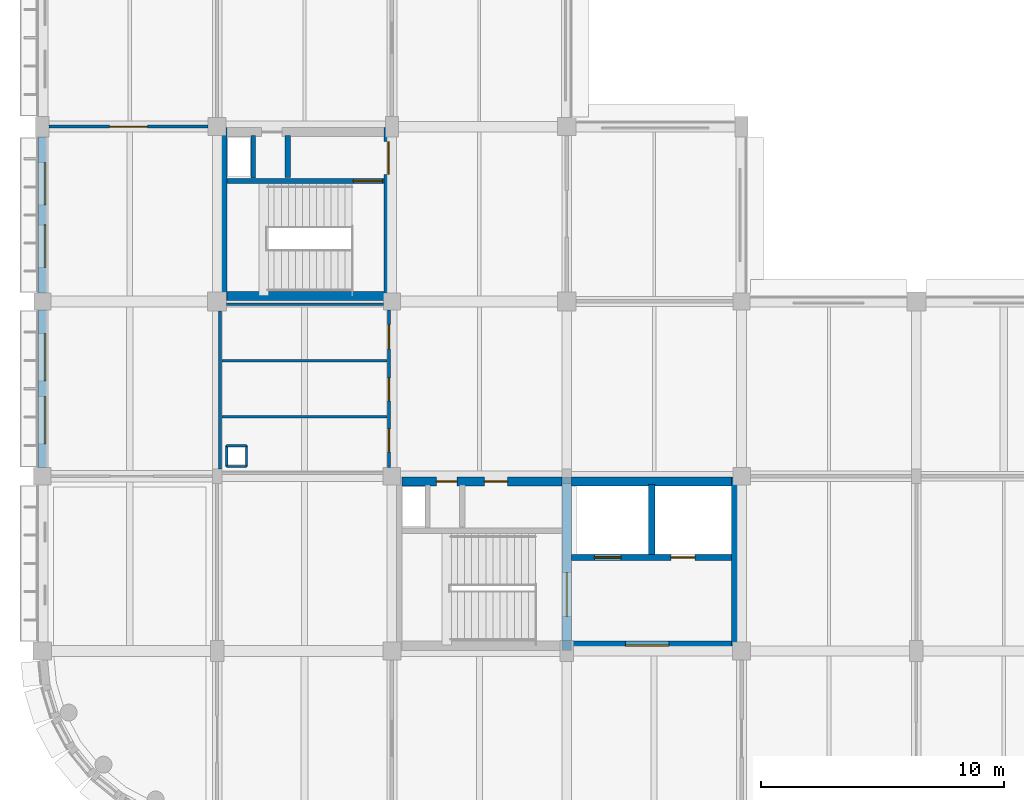
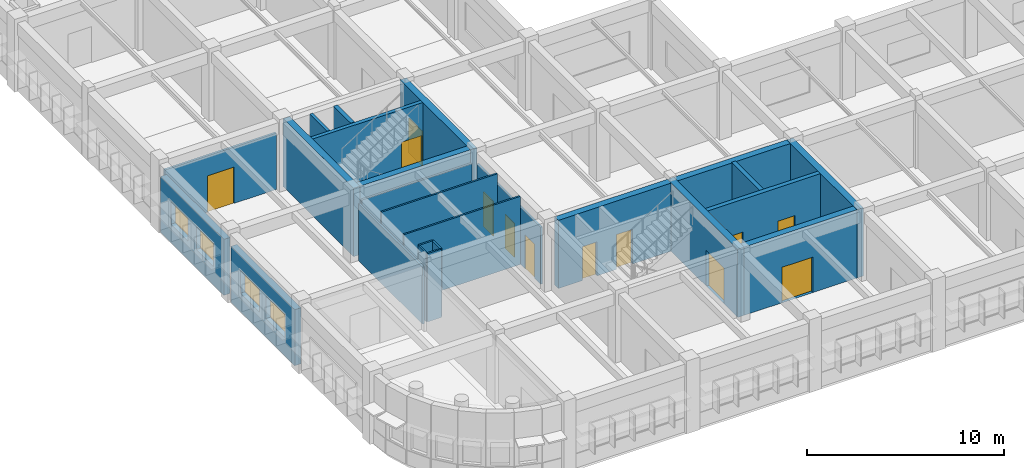
# One storey, part 35 of 61: 25 walls, 12 doors, 4 windows, 16 openings.
"""IFC4 building model written with IfcOpenShell, lengths in metres."""

from ifc_helpers import new_model, si_unit, direction, frame, frame_2d, origin, place, context, subcontext, project, spatial, rectangle, extrude, material, layer, layer_set, type_object, element, fill, save


model = new_model("IFC4")

# Units and contexts
model_context = context("Model", 3, precision=1e-05, world=origin(), true_north=direction((0.0, 1.0)))
body_context = subcontext(model_context, "Body", "Model", "MODEL_VIEW")
ifc_project = project(units=[si_unit("LENGTHUNIT", "METRE"), si_unit("AREAUNIT", "SQUARE_METRE"), si_unit("VOLUMEUNIT", "CUBIC_METRE"), si_unit("PLANEANGLEUNIT", "RADIAN"), si_unit("MASSUNIT", "GRAM", prefix="KILO")], contexts=[model_context])

# Site, building, storey
site_placement = place(None, origin())
site = spatial("IfcSite", under=ifc_project, at=site_placement, CompositionType="ELEMENT")
building_placement = place(site_placement, origin())
building = spatial("IfcBuilding", under=site, at=building_placement, Name="Thalmaran Polytechnic", CompositionType="ELEMENT")
storey_placement = place(building_placement, frame((0.0, 0.0, 9.89990234375)))
storey = spatial("IfcBuildingStorey", under=building, at=storey_placement, Name="L02", CompositionType="ELEMENT", Elevation=9.89990234375)

# Wall, openings, windows
ifc_material_1 = material(Name="Precast concrete C40/50", Category="concrete")
ifc_layer_1 = layer(ifc_material_1, 0.360107421875, Name="Precast concrete C40/50")
ifc_layer_set_1 = layer_set([ifc_layer_1], Name="Precast concrete C40/50")
wall_type_1 = type_object("IfcWallType", Name="WL-EW01", PredefinedType="STANDARD", material=ifc_layer_set_1)
wall_1_placement = place(storey_placement, frame((0.0, 14.760009765625, 0.0), z_axis=(0.0, 0.0, 1.0), x_axis=(0.0, 1.0, 0.0)))
wall_1 = element("IfcWall", 1, at=wall_1_placement, inside=storey, type_object=wall_type_1, Name="Exterior Precast Facade Wall L02-003", PredefinedType="STANDARD", context=body_context, shape_type="SweptSolid", body=[
    extrude(rectangle(XDim=6.489990234375, YDim=0.360107421875, at=frame_2d((3.2451171875, 0.0))), origin(), (0.0, 0.0, 1.0), 3.47021484375),
])
opening_1_placement = place(wall_1_placement, frame((0.971923828125, 0.0, 1.14990234375)))
opening_1 = element("IfcOpeningElement", 2, at=opening_1_placement, cuts=wall_1, Name="Opening VW07", PredefinedType="OPENING", context=body_context, shape_type="SweptSolid", body=[
    extrude(rectangle(XDim=1.949951171875, YDim=1.39990234375, at=frame_2d((0.97509765625, 0.699951171875))), frame((0.0, 0.18994140625, 0.0), z_axis=(0.0, -1.0, 0.0), x_axis=(1.0, 0.0, 0.0)), (0.0, 0.0, 1.0), 0.380126953125),
])
opening_2_placement = place(wall_1_placement, frame((3.568115234375, 0.0, 1.14990234375)))
opening_2 = element("IfcOpeningElement", 3, at=opening_2_placement, cuts=wall_1, Name="Opening VW07", PredefinedType="OPENING", context=body_context, shape_type="SweptSolid", body=[
    extrude(rectangle(XDim=1.949951171875, YDim=1.39990234375, at=frame_2d((0.97509765625, 0.699951171875))), frame((0.0, 0.18994140625, 0.0), z_axis=(0.0, -1.0, 0.0), x_axis=(1.0, 0.0, 0.0)), (0.0, 0.0, 1.0), 0.380126953125),
])
ifc_material_2 = material(Name="Thermally broken aluminium and double low-E glass", Category="aluminium")
window_type_1 = type_object("IfcWindowType", Name="WN-VZ07", PartitioningType="SINGLE_PANEL", PredefinedType="WINDOW", material=ifc_material_2)
window_1_placement = place(opening_1_placement, origin())
window_1 = element("IfcWindow", 4, at=window_1_placement, inside=storey, type_object=window_type_1, Name="Deep-Set Solar-Screened Window W-0189", OverallHeight=1.39990234375, OverallWidth=1.949951171875, PartitioningType="SINGLE_PANEL", PredefinedType="WINDOW", context=body_context, shape_type="SweptSolid", body=[
    extrude(rectangle(XDim=1.949951171875, YDim=1.39990234375, at=frame_2d((0.97509765625, 0.699951171875))), frame((0.0, -0.080078125, 0.0), z_axis=(0.0, -1.0, 0.0), x_axis=(1.0, 0.0, 0.0)), (0.0, 0.0, 1.0), 0.06005859375),
])
fill(opening_1, window_1)
window_2_placement = place(opening_2_placement, origin())
window_2 = element("IfcWindow", 5, at=window_2_placement, inside=storey, type_object=window_type_1, Name="Deep-Set Solar-Screened Window W-0190", OverallHeight=1.39990234375, OverallWidth=1.949951171875, PartitioningType="SINGLE_PANEL", PredefinedType="WINDOW", context=body_context, shape_type="SweptSolid", body=[
    extrude(rectangle(XDim=1.949951171875, YDim=1.39990234375, at=frame_2d((0.97509765625, 0.699951171875))), frame((0.0, -0.080078125, 0.0), z_axis=(0.0, -1.0, 0.0), x_axis=(1.0, 0.0, 0.0)), (0.0, 0.0, 1.0), 0.06005859375),
])
fill(opening_2, window_2)

wall_2_placement = place(storey_placement, frame((0.0, 21.949951171875, 0.0), z_axis=(0.0, 0.0, 1.0), x_axis=(0.0, 1.0, 0.0)))
wall_2 = element("IfcWall", 6, at=wall_2_placement, inside=storey, type_object=wall_type_1, Name="Exterior Precast Facade Wall L02-004", PredefinedType="STANDARD", context=body_context, shape_type="SweptSolid", body=[
    extrude(rectangle(XDim=6.425048828125, YDim=0.360107421875, at=frame_2d((3.21240234375, 0.0))), origin(), (0.0, 0.0, 1.0), 3.47021484375),
])
opening_3_placement = place(wall_2_placement, frame((1.052490234375, 0.0, 1.14990234375)))
opening_3 = element("IfcOpeningElement", 7, at=opening_3_placement, cuts=wall_2, Name="Opening VW08", PredefinedType="OPENING", context=body_context, shape_type="SweptSolid", body=[
    extrude(rectangle(XDim=1.75, YDim=1.39990234375, at=frame_2d((0.875, 0.699951171875))), frame((0.0, 0.18994140625, 0.0), z_axis=(0.0, -1.0, 0.0), x_axis=(1.0, 0.0, 0.0)), (0.0, 0.0, 1.0), 0.380126953125),
])
opening_4_placement = place(wall_2_placement, frame((3.62255859375, 0.0, 1.14990234375)))
opening_4 = element("IfcOpeningElement", 8, at=opening_4_placement, cuts=wall_2, Name="Opening VW08", PredefinedType="OPENING", context=body_context, shape_type="SweptSolid", body=[
    extrude(rectangle(XDim=1.75, YDim=1.39990234375, at=frame_2d((0.875, 0.699951171875))), frame((0.0, 0.18994140625, 0.0), z_axis=(0.0, -1.0, 0.0), x_axis=(1.0, 0.0, 0.0)), (0.0, 0.0, 1.0), 0.380126953125),
])
window_type_2 = type_object("IfcWindowType", Name="WN-VZ08", PartitioningType="SINGLE_PANEL", PredefinedType="WINDOW", material=ifc_material_2)
window_3_placement = place(opening_3_placement, origin())
window_3 = element("IfcWindow", 9, at=window_3_placement, inside=storey, type_object=window_type_2, Name="Deep-Set Solar-Screened Window W-0191", OverallHeight=1.39990234375, OverallWidth=1.75, PartitioningType="SINGLE_PANEL", PredefinedType="WINDOW", context=body_context, shape_type="SweptSolid", body=[
    extrude(rectangle(XDim=1.75, YDim=1.39990234375, at=frame_2d((0.875, 0.699951171875))), frame((0.0, -0.080078125, 0.0), z_axis=(0.0, -1.0, 0.0), x_axis=(1.0, 0.0, 0.0)), (0.0, 0.0, 1.0), 0.06005859375),
])
fill(opening_3, window_3)
window_4_placement = place(opening_4_placement, origin())
window_4 = element("IfcWindow", 10, at=window_4_placement, inside=storey, type_object=window_type_2, Name="Deep-Set Solar-Screened Window W-0192", OverallHeight=1.39990234375, OverallWidth=1.75, PartitioningType="SINGLE_PANEL", PredefinedType="WINDOW", context=body_context, shape_type="SweptSolid", body=[
    extrude(rectangle(XDim=1.75, YDim=1.39990234375, at=frame_2d((0.875, 0.699951171875))), frame((0.0, -0.080078125, 0.0), z_axis=(0.0, -1.0, 0.0), x_axis=(1.0, 0.0, 0.0)), (0.0, 0.0, 1.0), 0.06005859375),
])
fill(opening_4, window_4)

# Walls
ifc_material_3 = material(Name="Autoclaved aerated masonry", Category="masonry")
ifc_layer_2 = layer(ifc_material_3, 0.25, Name="Autoclaved aerated masonry")
ifc_layer_set_2 = layer_set([ifc_layer_2], Name="Autoclaved aerated masonry")
wall_type_2 = type_object("IfcWallType", Name="WL-IW01", PredefinedType="PARTITIONING", material=ifc_layer_set_2)
wall_3_placement = place(storey_placement, frame((25.10009765625, 11.179931640625, 0.0), z_axis=(0.0, 0.0, 1.0), x_axis=(0.0, 1.0, 0.0)))
element("IfcWall", 11, at=wall_3_placement, inside=storey, type_object=wall_type_2, Name="Core C1 Shaft Dividing Wall L02", PredefinedType="PARTITIONING", context=body_context, shape_type="SweptSolid", body=[
    extrude(rectangle(XDim=2.8701171875, YDim=0.25, at=frame_2d((1.43505859375, 0.0))), origin(), (0.0, 0.0, 1.0), 4.22509765625),
])
ifc_layer_3 = layer(ifc_material_3, 0.22998046875, Name="Autoclaved aerated masonry")
ifc_layer_set_3 = layer_set([ifc_layer_3], Name="Autoclaved aerated masonry")
wall_type_3 = type_object("IfcWallType", Name="WL-IW02", PredefinedType="PARTITIONING", material=ifc_layer_set_3)
wall_4_placement = place(storey_placement, frame((10.10009765625, 26.699951171875, 0.0), z_axis=(0.0, 0.0, 1.0), x_axis=(0.0, 1.0, 0.0)))
element("IfcWall", 12, at=wall_4_placement, inside=storey, type_object=wall_type_3, Name="Core C3 Riser Partition L02", PredefinedType="PARTITIONING", context=body_context, shape_type="SweptSolid", body=[
    extrude(rectangle(XDim=1.739990234375, YDim=0.22998046875, at=frame_2d((0.8701171875, 0.0))), origin(), (0.0, 0.0, 1.0), 4.22509765625),
])
ifc_layer_4 = layer(ifc_material_3, 0.179931640625, Name="Autoclaved aerated masonry")
ifc_layer_set_4 = layer_set([ifc_layer_4], Name="Autoclaved aerated masonry")
wall_type_4 = type_object("IfcWallType", Name="WL-IW04", PredefinedType="PARTITIONING", material=ifc_layer_set_4)
wall_5_placement = place(storey_placement, frame((8.679931640625, 26.679931640625, 0.0), z_axis=(0.0, 0.0, 1.0), x_axis=(0.0, 1.0, 0.0)))
element("IfcWall", 13, at=wall_5_placement, inside=storey, type_object=wall_type_4, Name="Core C3 Riser Shaft Enclosure Wall L02", PredefinedType="PARTITIONING", context=body_context, shape_type="SweptSolid", body=[
    extrude(rectangle(XDim=1.760009765625, YDim=0.179931640625, at=frame_2d((0.8798828125, 0.0))), origin(), (0.0, 0.0, 1.0), 4.22509765625),
])

# Wall, opening, door
ifc_material_4 = material(Name="Gypsum acoustic partition")
ifc_layer_5 = layer(ifc_material_4, 0.1298828125, Name="Gypsum acoustic partition")
ifc_layer_set_5 = layer_set([ifc_layer_5], Name="Gypsum acoustic partition")
wall_type_5 = type_object("IfcWallType", Name="WL-IW07", PredefinedType="PARTITIONING", material=ifc_layer_set_5)
wall_6_placement = place(storey_placement, frame((0.280029296875, 28.800048828125, 0.0), z_axis=(0.0, 0.0, 1.0), x_axis=(1.0, 0.0, 0.0)))
wall_6 = element("IfcWall", 14, at=wall_6_placement, inside=storey, type_object=wall_type_5, Name="Interior Partition IW07 L02-004", PredefinedType="PARTITIONING", context=body_context, shape_type="SweptSolid", body=[
    extrude(rectangle(XDim=6.5400390625, YDim=0.1298828125, at=frame_2d((3.27001953125, 0.0))), origin(), (0.0, 0.0, 1.0), 3.485107421875),
])
opening_5_placement = place(wall_6_placement, frame((2.489990234375, 0.0, 0.0)))
opening_5 = element("IfcOpeningElement", 15, at=opening_5_placement, cuts=wall_6, Name="Opening D-L02-055-1-03-1", PredefinedType="OPENING", context=body_context, shape_type="SweptSolid", body=[
    extrude(rectangle(XDim=1.56005859375, YDim=2.25, at=frame_2d((0.780029296875, 1.125))), frame((0.0, 0.074951171875, 0.0), z_axis=(0.0, -1.0, 0.0), x_axis=(1.0, 0.0, 0.0)), (0.0, 0.0, 1.0), 0.14990234375),
])
ifc_material_5 = material(Name="Acoustic hardwood and vision glass", Category="wood")
door_type_1 = type_object("IfcDoorType", Name="DR-ZD03", OperationType="NOTDEFINED", PredefinedType="DOOR", material=ifc_material_5)
door_1_placement = place(opening_5_placement, origin())
door_1 = element("IfcDoor", 16, at=door_1_placement, inside=storey, type_object=door_type_1, Name="Thermodynamics Laboratory L02-03 Door 1", OperationType="SINGLE_SWING_RIGHT", OverallHeight=2.25, OverallWidth=1.56005859375, PredefinedType="DOOR", context=body_context, shape_type="SweptSolid", body=[
    extrude(rectangle(XDim=1.56005859375, YDim=2.25, at=frame_2d((0.780029296875, 1.125))), frame((0.0, 0.02490234375, 0.0), z_axis=(0.0, -1.0, 0.0), x_axis=(1.0, 0.0, 0.0)), (0.0, 0.0, 1.0), 0.050048828125),
])
fill(opening_5, door_1)

# Walls
ifc_layer_6 = layer(ifc_material_4, 0.114990234375, Name="Gypsum acoustic partition")
ifc_layer_set_6 = layer_set([ifc_layer_6], Name="Gypsum acoustic partition")
wall_type_6 = type_object("IfcWallType", Name="WL-IW08", PredefinedType="PARTITIONING", material=ifc_layer_set_6)
wall_7_placement = place(storey_placement, frame((7.594970703125, 21.47998046875, 0.0), z_axis=(0.0, 0.0, 1.0), x_axis=(1.0, 0.0, 0.0)))
element("IfcWall", 17, at=wall_7_placement, inside=storey, type_object=wall_type_6, Name="Sanitary Core Wall L02-W1-N", PredefinedType="PARTITIONING", context=body_context, shape_type="SweptSolid", body=[
    extrude(rectangle(XDim=6.449951171875, YDim=0.114990234375, at=frame_2d((3.22509765625, 0.0))), origin(), (0.0, 0.0, 1.0), 3.5),
])
wall_8_placement = place(storey_placement, frame((7.320068359375, 14.705078125, 0.0), z_axis=(0.0, 0.0, 1.0), x_axis=(0.0, 1.0, 0.0)))
element("IfcWall", 18, at=wall_8_placement, inside=storey, type_object=wall_type_6, Name="Sanitary Side Wall L02-W1-W", PredefinedType="PARTITIONING", context=body_context, shape_type="SweptSolid", body=[
    extrude(rectangle(XDim=6.5, YDim=0.114990234375, at=frame_2d((3.25, 0.0))), origin(), (0.0, 0.0, 1.0), 3.530029296875),
])

# Wall, openings, doors
wall_9_placement = place(storey_placement, frame((14.280029296875, 14.764892578125, 0.0), z_axis=(0.0, 0.0, 1.0), x_axis=(0.0, 1.0, 0.0)))
wall_9 = element("IfcWall", 19, at=wall_9_placement, inside=storey, type_object=wall_type_6, Name="Sanitary Side Wall L02-W1-E", PredefinedType="PARTITIONING", context=body_context, shape_type="SweptSolid", body=[
    extrude(rectangle(XDim=6.480224609375, YDim=0.114990234375, at=frame_2d((3.240234375, 0.0))), origin(), (0.0, 0.0, 1.0), 3.530029296875),
])
opening_6_placement = place(wall_9_placement, frame((0.635009765625, 0.0, 0.0)))
opening_6 = element("IfcOpeningElement", 20, at=opening_6_placement, cuts=wall_9, Name="Opening WD-L02-W1-1", PredefinedType="OPENING", context=body_context, shape_type="SweptSolid", body=[
    extrude(rectangle(XDim=0.949951171875, YDim=2.10009765625, at=frame_2d((0.47509765625, 1.050048828125))), frame((0.0, 0.0673828125, 0.0), z_axis=(0.0, -1.0, 0.0), x_axis=(1.0, 0.0, 0.0)), (0.0, 0.0, 1.0), 0.135009765625),
])
opening_7_placement = place(wall_9_placement, frame((2.735107421875, 0.0, 0.0)))
opening_7 = element("IfcOpeningElement", 21, at=opening_7_placement, cuts=wall_9, Name="Opening WD-L02-W1-2", PredefinedType="OPENING", context=body_context, shape_type="SweptSolid", body=[
    extrude(rectangle(XDim=0.949951171875, YDim=2.10009765625, at=frame_2d((0.47509765625, 1.050048828125))), frame((0.0, 0.0673828125, 0.0), z_axis=(0.0, -1.0, 0.0), x_axis=(1.0, 0.0, 0.0)), (0.0, 0.0, 1.0), 0.135009765625),
])
opening_8_placement = place(wall_9_placement, frame((4.885009765625, 0.0, 0.0)))
opening_8 = element("IfcOpeningElement", 22, at=opening_8_placement, cuts=wall_9, Name="Opening WD-L02-W1-3", PredefinedType="OPENING", context=body_context, shape_type="SweptSolid", body=[
    extrude(rectangle(XDim=1.0, YDim=2.14990234375, at=frame_2d((0.5, 1.074951171875))), frame((0.0, 0.0673828125, 0.0), z_axis=(0.0, -1.0, 0.0), x_axis=(1.0, 0.0, 0.0)), (0.0, 0.0, 1.0), 0.135009765625),
])
ifc_material_6 = material(Name="Acoustic hardwood", Category="wood")
door_type_2 = type_object("IfcDoorType", Name="DR-ID06", OperationType="NOTDEFINED", PredefinedType="DOOR", material=ifc_material_6)
door_2_placement = place(opening_8_placement, origin())
door_2 = element("IfcDoor", 23, at=door_2_placement, inside=storey, type_object=door_type_2, Name="Accessible WC Door L02-W1", OperationType="SINGLE_SWING_LEFT", OverallHeight=2.14990234375, OverallWidth=1.0, PredefinedType="DOOR", context=body_context, shape_type="SweptSolid", body=[
    extrude(rectangle(XDim=1.0, YDim=2.14990234375, at=frame_2d((0.5, 1.074951171875))), frame((0.0, 0.02490234375, 0.0), z_axis=(0.0, -1.0, 0.0), x_axis=(1.0, 0.0, 0.0)), (0.0, 0.0, 1.0), 0.050048828125),
])
fill(opening_8, door_2)
ifc_material_7 = material(Name="Moisture-resistant laminate timber", Category="wood")
door_type_3 = type_object("IfcDoorType", Name="DR-ID07", OperationType="NOTDEFINED", PredefinedType="DOOR", material=ifc_material_7)
door_3_placement = place(opening_6_placement, origin())
door_3 = element("IfcDoor", 24, at=door_3_placement, inside=storey, type_object=door_type_3, Name="Male WC Door L02-W1", OperationType="SINGLE_SWING_LEFT", OverallHeight=2.10009765625, OverallWidth=0.949951171875, PredefinedType="DOOR", context=body_context, shape_type="SweptSolid", body=[
    extrude(rectangle(XDim=0.949951171875, YDim=2.10009765625, at=frame_2d((0.47509765625, 1.050048828125))), frame((0.0, 0.02490234375, 0.0), z_axis=(0.0, -1.0, 0.0), x_axis=(1.0, 0.0, 0.0)), (0.0, 0.0, 1.0), 0.050048828125),
])
fill(opening_6, door_3)
door_4_placement = place(opening_7_placement, origin())
door_4 = element("IfcDoor", 25, at=door_4_placement, inside=storey, type_object=door_type_3, Name="Female WC Door L02-W1", OperationType="SINGLE_SWING_RIGHT", OverallHeight=2.10009765625, OverallWidth=0.949951171875, PredefinedType="DOOR", context=body_context, shape_type="SweptSolid", body=[
    extrude(rectangle(XDim=0.949951171875, YDim=2.10009765625, at=frame_2d((0.47509765625, 1.050048828125))), frame((0.0, 0.02490234375, 0.0), z_axis=(0.0, -1.0, 0.0), x_axis=(1.0, 0.0, 0.0)), (0.0, 0.0, 1.0), 0.050048828125),
])
fill(opening_7, door_4)

# Walls
ifc_material_8 = material(Name="Moisture-resistant partition")
ifc_layer_7 = layer(ifc_material_8, 0.10009765625, Name="Moisture-resistant partition")
ifc_layer_set_7 = layer_set([ifc_layer_7], Name="Moisture-resistant partition")
wall_type_7 = type_object("IfcWallType", Name="WL-IW09", PredefinedType="PARTITIONING", material=ifc_layer_set_7)
for number, where, z_axis, x_axis, name in (
    (26, (7.39990234375, 16.85009765625, 0.0), (0.0, 0.0, 1.0), (1.0, 0.0, 0.0), "WC Partition L02-W1-1"),
    (27, (7.39990234375, 19.14990234375, 0.0), (0.0, 0.0, 1.0), (1.0, 0.0, 0.0), "WC Partition L02-W1-2"),
):
    element("IfcWall", number, at=place(storey_placement, frame(where, z_axis=z_axis, x_axis=x_axis)), inside=storey, type_object=wall_type_7, Name=name, PredefinedType="PARTITIONING", context=body_context, shape_type="SweptSolid", body=[
        extrude(rectangle(XDim=6.800048828125, YDim=0.10009765625, at=frame_2d((3.39990234375, 0.0))), origin(), (0.0, 0.0, 1.0), 4.22509765625),
    ])
wall_10_placement = place(storey_placement, frame((7.590087890625, 14.800048828125, 0.0), z_axis=(0.0, 0.0, 1.0), x_axis=(1.0, 0.0, 0.0)))
element("IfcWall", 28, at=wall_10_placement, inside=storey, type_object=wall_type_7, Name="Plumbing Riser Chase Wall L02-W1-S", PredefinedType="PARTITIONING", context=body_context, shape_type="SweptSolid", body=[
    extrude(rectangle(XDim=0.81982421875, YDim=0.10009765625, at=frame_2d((0.409912109375, 0.0))), origin(), (0.0, 0.0, 1.0), 4.22509765625),
])
wall_11_placement = place(storey_placement, frame((8.409912109375, 14.800048828125, 0.0), z_axis=(0.0, 0.0, 1.0), x_axis=(0.0, 1.0, 0.0)))
element("IfcWall", 29, at=wall_11_placement, inside=storey, type_object=wall_type_7, Name="Plumbing Riser Chase Wall L02-W1-E", PredefinedType="PARTITIONING", context=body_context, shape_type="SweptSolid", body=[
    extrude(rectangle(XDim=0.85986328125, YDim=0.10009765625, at=frame_2d((0.429931640625, 0.0))), origin(), (0.0, 0.0, 1.0), 4.22509765625),
])
wall_12_placement = place(storey_placement, frame((8.409912109375, 15.659912109375, 0.0), z_axis=(0.0, 0.0, 1.0), x_axis=(-1.0, 0.0, 0.0)))
element("IfcWall", 30, at=wall_12_placement, inside=storey, type_object=wall_type_7, Name="Plumbing Riser Chase Wall L02-W1-N", PredefinedType="PARTITIONING", context=body_context, shape_type="SweptSolid", body=[
    extrude(rectangle(XDim=0.81982421875, YDim=0.10009765625, at=frame_2d((0.409912109375, 0.0))), origin(), (0.0, 0.0, 1.0), 4.22509765625),
])
wall_13_placement = place(storey_placement, frame((7.590087890625, 15.659912109375, 0.0), z_axis=(0.0, 0.0, 1.0), x_axis=(0.0, -1.0, 0.0)))
element("IfcWall", 31, at=wall_13_placement, inside=storey, type_object=wall_type_7, Name="Plumbing Riser Chase Wall L02-W1-W", PredefinedType="PARTITIONING", context=body_context, shape_type="SweptSolid", body=[
    extrude(rectangle(XDim=0.85986328125, YDim=0.10009765625, at=frame_2d((0.429931640625, 0.0))), origin(), (0.0, 0.0, 1.0), 4.22509765625),
])

# Wall, openings, doors
ifc_material_9 = material(Name="Concrete C50/60", Category="concrete")
ifc_layer_8 = layer(ifc_material_9, 0.3798828125, Name="Concrete C50/60")
ifc_layer_set_8 = layer_set([ifc_layer_8], Name="Concrete C50/60")
wall_type_8 = type_object("IfcWallType", Name="WL-SW02", PredefinedType="SHEAR", material=ifc_layer_set_8)
wall_14_placement = place(storey_placement, frame((14.81005859375, 14.179931640625, 0.0), z_axis=(0.0, 0.0, 1.0), x_axis=(1.0, 0.0, 0.0)))
wall_14 = element("IfcWall", 32, at=wall_14_placement, inside=storey, type_object=wall_type_8, Name="Core C1 North Shear Wall L02", PredefinedType="SHEAR", context=body_context, shape_type="SweptSolid", body=[
    extrude(rectangle(XDim=6.599853515625, YDim=0.3798828125, at=frame_2d((3.2998046875, 0.0))), origin(), (0.0, 0.0, 1.0), 4.22509765625),
])
opening_9_placement = place(wall_14_placement, frame((1.419921875, 0.0, 0.0)))
opening_9 = element("IfcOpeningElement", 33, at=opening_9_placement, cuts=wall_14, Name="Opening DR-C1-L02-R", PredefinedType="OPENING", context=body_context, shape_type="SweptSolid", body=[
    extrude(rectangle(XDim=0.85009765625, YDim=2.10009765625, at=frame_2d((0.425048828125, 1.050048828125))), frame((0.0, 0.199951171875, 0.0), z_axis=(0.0, -1.0, 0.0), x_axis=(1.0, 0.0, 0.0)), (0.0, 0.0, 1.0), 0.39990234375),
])
opening_10_placement = place(wall_14_placement, frame((3.39990234375, 0.0, 0.0)))
opening_10 = element("IfcOpeningElement", 34, at=opening_10_placement, cuts=wall_14, Name="Opening ED-C1-L02-E", PredefinedType="OPENING", context=body_context, shape_type="SweptSolid", body=[
    extrude(rectangle(XDim=0.949951171875, YDim=2.14990234375, at=frame_2d((0.47509765625, 1.074951171875))), frame((0.0, 0.199951171875, 0.0), z_axis=(0.0, -1.0, 0.0), x_axis=(1.0, 0.0, 0.0)), (0.0, 0.0, 1.0), 0.39990234375),
])
ifc_material_10 = material(Name="Powder-coated fire-rated steel", Category="steel")
door_type_4 = type_object("IfcDoorType", Name="DR-FD08", OperationType="NOTDEFINED", PredefinedType="DOOR", material=ifc_material_10)
door_5_placement = place(opening_10_placement, origin())
door_5 = element("IfcDoor", 35, at=door_5_placement, inside=storey, type_object=door_type_4, Name="Electrical Riser Door C1 L02", OperationType="SINGLE_SWING_RIGHT", OverallHeight=2.14990234375, OverallWidth=0.949951171875, PredefinedType="DOOR", context=body_context, shape_type="SweptSolid", body=[
    extrude(rectangle(XDim=0.949951171875, YDim=2.14990234375, at=frame_2d((0.47509765625, 1.074951171875))), frame((0.0, 0.02490234375, 0.0), z_axis=(0.0, -1.0, 0.0), x_axis=(1.0, 0.0, 0.0)), (0.0, 0.0, 1.0), 0.050048828125),
])
fill(opening_10, door_5)
door_type_5 = type_object("IfcDoorType", Name="DR-FD09", OperationType="NOTDEFINED", PredefinedType="DOOR", material=ifc_material_10)
door_6_placement = place(opening_9_placement, origin())
door_6 = element("IfcDoor", 36, at=door_6_placement, inside=storey, type_object=door_type_5, Name="Riser Access Fire Door C1 L02", OperationType="SINGLE_SWING_RIGHT", OverallHeight=2.10009765625, OverallWidth=0.85009765625, PredefinedType="DOOR", context=body_context, shape_type="SweptSolid", body=[
    extrude(rectangle(XDim=0.85009765625, YDim=2.10009765625, at=frame_2d((0.425048828125, 1.050048828125))), frame((0.0, 0.02490234375, 0.0), z_axis=(0.0, -1.0, 0.0), x_axis=(1.0, 0.0, 0.0)), (0.0, 0.0, 1.0), 0.050048828125),
])
fill(opening_9, door_6)

# Wall, opening, door
wall_15_placement = place(storey_placement, frame((21.60009765625, 7.22998046875, 0.0), z_axis=(0.0, 0.0, 1.0), x_axis=(0.0, 1.0, 0.0)))
wall_15 = element("IfcWall", 37, at=wall_15_placement, inside=storey, type_object=wall_type_8, Name="Core C1 Stair-Lobby Dividing Shear Wall L02", PredefinedType="SHEAR", context=body_context, shape_type="SweptSolid", body=[
    extrude(rectangle(XDim=7.14013671875, YDim=0.3798828125, at=frame_2d((3.570068359375, 0.0))), origin(), (0.0, 0.0, 1.0), 4.22509765625),
])
opening_11_placement = place(wall_15_placement, frame((1.39990234375, 0.0, 0.0)))
opening_11 = element("IfcOpeningElement", 38, at=opening_11_placement, cuts=wall_15, Name="Opening SD-ST1-L02", PredefinedType="OPENING", context=body_context, shape_type="SweptSolid", body=[
    extrude(rectangle(XDim=1.800048828125, YDim=2.199951171875, at=frame_2d((0.89990234375, 1.10009765625))), frame((0.0, 0.199951171875, 0.0), z_axis=(0.0, -1.0, 0.0), x_axis=(1.0, 0.0, 0.0)), (0.0, 0.0, 1.0), 0.39990234375),
])
door_type_6 = type_object("IfcDoorType", Name="DR-FD03", OperationType="NOTDEFINED", PredefinedType="DOOR", material=ifc_material_10)
door_7_placement = place(opening_11_placement, origin())
door_7 = element("IfcDoor", 39, at=door_7_placement, inside=storey, type_object=door_type_6, Name="Firefighting Lobby to Exit Stair Door ST1 L02", OperationType="SINGLE_SWING_LEFT", OverallHeight=2.199951171875, OverallWidth=1.800048828125, PredefinedType="DOOR", context=body_context, shape_type="SweptSolid", body=[
    extrude(rectangle(XDim=1.800048828125, YDim=2.199951171875, at=frame_2d((0.89990234375, 1.10009765625))), frame((0.0, 0.02490234375, 0.0), z_axis=(0.0, -1.0, 0.0), x_axis=(1.0, 0.0, 0.0)), (0.0, 0.0, 1.0), 0.050048828125),
])
fill(opening_11, door_7)

wall_16_placement = place(storey_placement, frame((21.7900390625, 7.419921875, 0.0), z_axis=(0.0, 0.0, 1.0), x_axis=(1.0, 0.0, 0.0)))
wall_16 = element("IfcWall", 40, at=wall_16_placement, inside=storey, type_object=wall_type_8, Name="Core C1 Lobby South Wall L02", PredefinedType="SHEAR", context=body_context, shape_type="SweptSolid", body=[
    extrude(rectangle(XDim=6.599853515625, YDim=0.3798828125, at=frame_2d((3.2998046875, 0.0))), origin(), (0.0, 0.0, 1.0), 4.22509765625),
])
opening_12_placement = place(wall_16_placement, frame((2.219970703125, 0.0, 0.0)))
opening_12 = element("IfcOpeningElement", 41, at=opening_12_placement, cuts=wall_16, Name="Opening FD-C1-L02", PredefinedType="OPENING", context=body_context, shape_type="SweptSolid", body=[
    extrude(rectangle(XDim=1.800048828125, YDim=2.199951171875, at=frame_2d((0.89990234375, 1.10009765625))), frame((0.0, 0.199951171875, 0.0), z_axis=(0.0, -1.0, 0.0), x_axis=(1.0, 0.0, 0.0)), (0.0, 0.0, 1.0), 0.39990234375),
])
door_type_7 = type_object("IfcDoorType", Name="DR-FD01", OperationType="NOTDEFINED", PredefinedType="DOOR", material=ifc_material_10)
door_8_placement = place(opening_12_placement, origin())
door_8 = element("IfcDoor", 42, at=door_8_placement, inside=storey, type_object=door_type_7, Name="Firefighting Lift Lobby Entrance Door C1 L02", OperationType="DOUBLE_DOOR_SINGLE_SWING", OverallHeight=2.199951171875, OverallWidth=1.800048828125, PredefinedType="DOOR", context=body_context, shape_type="SweptSolid", body=[
    extrude(rectangle(XDim=1.800048828125, YDim=2.199951171875, at=frame_2d((0.89990234375, 1.10009765625))), frame((0.0, 0.02490234375, 0.0), z_axis=(0.0, -1.0, 0.0), x_axis=(1.0, 0.0, 0.0)), (0.0, 0.0, 1.0), 0.050048828125),
])
fill(opening_12, door_8)

# Walls
wall_17_placement = place(storey_placement, frame((28.580078125, 7.22998046875, 0.0), z_axis=(0.0, 0.0, 1.0), x_axis=(0.0, 1.0, 0.0)))
element("IfcWall", 43, at=wall_17_placement, inside=storey, type_object=wall_type_8, Name="Core C1 Lobby East Shear Wall L02", PredefinedType="SHEAR", context=body_context, shape_type="SweptSolid", body=[
    extrude(rectangle(XDim=7.14013671875, YDim=0.3798828125, at=frame_2d((3.570068359375, 0.0))), origin(), (0.0, 0.0, 1.0), 4.22509765625),
])
wall_18_placement = place(storey_placement, frame((21.7900390625, 14.179931640625, 0.0), z_axis=(0.0, 0.0, 1.0), x_axis=(1.0, 0.0, 0.0)))
element("IfcWall", 44, at=wall_18_placement, inside=storey, type_object=wall_type_8, Name="Core C1 Lift Shaft Back Shear Wall L02", PredefinedType="SHEAR", context=body_context, shape_type="SweptSolid", body=[
    extrude(rectangle(XDim=6.599853515625, YDim=0.3798828125, at=frame_2d((3.2998046875, 0.0))), origin(), (0.0, 0.0, 1.0), 4.22509765625),
])

# Wall, openings, doors
wall_19_placement = place(storey_placement, frame((21.7900390625, 11.050048828125, 0.0), z_axis=(0.0, 0.0, 1.0), x_axis=(1.0, 0.0, 0.0)))
wall_19 = element("IfcWall", 45, at=wall_19_placement, inside=storey, type_object=wall_type_8, Name="Core C1 Lift Landing Front Wall L02", PredefinedType="SHEAR", context=body_context, shape_type="SweptSolid", body=[
    extrude(rectangle(XDim=6.599853515625, YDim=0.260009765625, at=frame_2d((3.2998046875, 0.0))), origin(), (0.0, 0.0, 1.0), 4.22509765625),
])
opening_13_placement = place(wall_19_placement, frame((0.949951171875, 0.0, 0.0)))
opening_13 = element("IfcOpeningElement", 46, at=opening_13_placement, cuts=wall_19, Name="Opening LD-FL-01-L02", PredefinedType="OPENING", context=body_context, shape_type="SweptSolid", body=[
    extrude(rectangle(XDim=1.10009765625, YDim=2.199951171875, at=frame_2d((0.550048828125, 1.10009765625))), frame((0.0, 0.139892578125, 0.0), z_axis=(0.0, -1.0, 0.0), x_axis=(1.0, 0.0, 0.0)), (0.0, 0.0, 1.0), 0.280029296875),
])
opening_14_placement = place(wall_19_placement, frame((4.10009765625, 0.0, 0.0)))
opening_14 = element("IfcOpeningElement", 47, at=opening_14_placement, cuts=wall_19, Name="Opening LD-PL-01-L02", PredefinedType="OPENING", context=body_context, shape_type="SweptSolid", body=[
    extrude(rectangle(XDim=1.0, YDim=2.14990234375, at=frame_2d((0.5, 1.074951171875))), frame((0.0, 0.139892578125, 0.0), z_axis=(0.0, -1.0, 0.0), x_axis=(1.0, 0.0, 0.0)), (0.0, 0.0, 1.0), 0.280029296875),
])
ifc_material_11 = material(Name="Brushed stainless steel lift door", Category="steel")
door_type_8 = type_object("IfcDoorType", Name="DR-LD01", OperationType="NOTDEFINED", PredefinedType="DOOR", material=ifc_material_11)
door_9_placement = place(opening_13_placement, origin())
door_9 = element("IfcDoor", 48, at=door_9_placement, inside=storey, type_object=door_type_8, Name="Lift Landing Door FL-01 L02", OperationType="SLIDING_TO_LEFT", OverallHeight=2.199951171875, OverallWidth=1.10009765625, PredefinedType="DOOR", context=body_context, shape_type="SweptSolid", body=[
    extrude(rectangle(XDim=1.10009765625, YDim=2.199951171875, at=frame_2d((0.550048828125, 1.10009765625))), frame((0.0, 0.02490234375, 0.0), z_axis=(0.0, -1.0, 0.0), x_axis=(1.0, 0.0, 0.0)), (0.0, 0.0, 1.0), 0.050048828125),
])
fill(opening_13, door_9)
door_type_9 = type_object("IfcDoorType", Name="DR-LD02", OperationType="NOTDEFINED", PredefinedType="DOOR", material=ifc_material_11)
door_10_placement = place(opening_14_placement, origin())
door_10 = element("IfcDoor", 49, at=door_10_placement, inside=storey, type_object=door_type_9, Name="Lift Landing Door PL-01 L02", OperationType="SLIDING_TO_RIGHT", OverallHeight=2.14990234375, OverallWidth=1.0, PredefinedType="DOOR", context=body_context, shape_type="SweptSolid", body=[
    extrude(rectangle(XDim=1.0, YDim=2.14990234375, at=frame_2d((0.5, 1.074951171875))), frame((0.0, 0.02490234375, 0.0), z_axis=(0.0, -1.0, 0.0), x_axis=(1.0, 0.0, 0.0)), (0.0, 0.0, 1.0), 0.050048828125),
])
fill(opening_14, door_10)

# Walls
wall_20_placement = place(storey_placement, frame((7.610107421875, 21.820068359375, 0.0), z_axis=(0.0, 0.0, 1.0), x_axis=(1.0, 0.0, 0.0)))
element("IfcWall", 50, at=wall_20_placement, inside=storey, type_object=wall_type_8, Name="Core C3 South Shear Wall L02", PredefinedType="SHEAR", context=body_context, shape_type="SweptSolid", body=[
    extrude(rectangle(XDim=6.4599609375, YDim=0.3798828125, at=frame_2d((3.22998046875, 0.0))), origin(), (0.0, 0.0, 1.0), 4.22509765625),
])
wall_21_placement = place(storey_placement, frame((7.419921875, 28.77001953125, 0.0), z_axis=(0.0, 0.0, 1.0), x_axis=(0.0, -1.0, 0.0)))
element("IfcWall", 51, at=wall_21_placement, inside=storey, type_object=wall_type_8, Name="Core C3 West Shear Wall L02", PredefinedType="SHEAR", context=body_context, shape_type="SweptSolid", body=[
    extrude(rectangle(XDim=7.14013671875, YDim=0.3798828125, at=frame_2d((3.570068359375, 0.0))), origin(), (0.0, 0.0, 1.0), 4.22509765625),
])

# Wall, opening, door
wall_22_placement = place(storey_placement, frame((7.610107421875, 26.56005859375, 0.0), z_axis=(0.0, 0.0, 1.0), x_axis=(1.0, 0.0, 0.0)))
wall_22 = element("IfcWall", 52, at=wall_22_placement, inside=storey, type_object=wall_type_8, Name="Core C3 Stair Partition L02", PredefinedType="SHEAR", context=body_context, shape_type="SweptSolid", body=[
    extrude(rectangle(XDim=6.4599609375, YDim=0.219970703125, at=frame_2d((3.22998046875, 0.0))), origin(), (0.0, 0.0, 1.0), 4.22509765625),
])
opening_15_placement = place(wall_22_placement, frame((5.199951171875, 0.0, 0.0)))
opening_15 = element("IfcOpeningElement", 53, at=opening_15_placement, cuts=wall_22, Name="Opening SD-ST3-L02", PredefinedType="OPENING", context=body_context, shape_type="SweptSolid", body=[
    extrude(rectangle(XDim=1.199951171875, YDim=2.199951171875, at=frame_2d((0.60009765625, 1.10009765625))), frame((0.0, 0.119873046875, 0.0), z_axis=(0.0, -1.0, 0.0), x_axis=(1.0, 0.0, 0.0)), (0.0, 0.0, 1.0), 0.239990234375),
])
door_type_10 = type_object("IfcDoorType", Name="DR-FD04", OperationType="NOTDEFINED", PredefinedType="DOOR", material=ifc_material_10)
door_11_placement = place(opening_15_placement, origin())
door_11 = element("IfcDoor", 54, at=door_11_placement, inside=storey, type_object=door_type_10, Name="Exit Stair Fire Door ST3 L02", OperationType="DOUBLE_DOOR_SINGLE_SWING", OverallHeight=2.199951171875, OverallWidth=1.199951171875, PredefinedType="DOOR", context=body_context, shape_type="SweptSolid", body=[
    extrude(rectangle(XDim=1.199951171875, YDim=2.199951171875, at=frame_2d((0.60009765625, 1.10009765625))), frame((0.0, 0.02490234375, 0.0), z_axis=(0.0, -1.0, 0.0), x_axis=(1.0, 0.0, 0.0)), (0.0, 0.0, 1.0), 0.050048828125),
])
fill(opening_15, door_11)

wall_23_placement = place(storey_placement, frame((14.260009765625, 21.6298828125, 0.0), z_axis=(0.0, 0.0, 1.0), x_axis=(0.0, 1.0, 0.0)))
wall_23 = element("IfcWall", 55, at=wall_23_placement, inside=storey, type_object=wall_type_8, Name="Core C3 East Shear Wall L02", PredefinedType="SHEAR", context=body_context, shape_type="SweptSolid", body=[
    extrude(rectangle(XDim=7.14013671875, YDim=0.3798828125, at=frame_2d((3.570068359375, 0.0))), origin(), (0.0, 0.0, 1.0), 4.22509765625),
])
opening_16_placement = place(wall_23_placement, frame((5.199951171875, 0.0, 0.0)))
opening_16 = element("IfcOpeningElement", 56, at=opening_16_placement, cuts=wall_23, Name="Opening LD-C3-L02", PredefinedType="OPENING", context=body_context, shape_type="SweptSolid", body=[
    extrude(rectangle(XDim=1.35009765625, YDim=2.14990234375, at=frame_2d((0.675048828125, 1.074951171875))), frame((0.0, 0.199951171875, 0.0), z_axis=(0.0, -1.0, 0.0), x_axis=(1.0, 0.0, 0.0)), (0.0, 0.0, 1.0), 0.39990234375),
])
door_type_11 = type_object("IfcDoorType", Name="DR-FD06", OperationType="NOTDEFINED", PredefinedType="DOOR", material=ifc_material_10)
door_12_placement = place(opening_16_placement, origin())
door_12 = element("IfcDoor", 57, at=door_12_placement, inside=storey, type_object=door_type_11, Name="Stair Lobby Fire Door C3 L02", OperationType="SINGLE_SWING_LEFT", OverallHeight=2.14990234375, OverallWidth=1.35009765625, PredefinedType="DOOR", context=body_context, shape_type="SweptSolid", body=[
    extrude(rectangle(XDim=1.35009765625, YDim=2.14990234375, at=frame_2d((0.675048828125, 1.074951171875))), frame((0.0, 0.02490234375, 0.0), z_axis=(0.0, -1.0, 0.0), x_axis=(1.0, 0.0, 0.0)), (0.0, 0.0, 1.0), 0.050048828125),
])
fill(opening_16, door_12)

save(model, "model.ifc")
